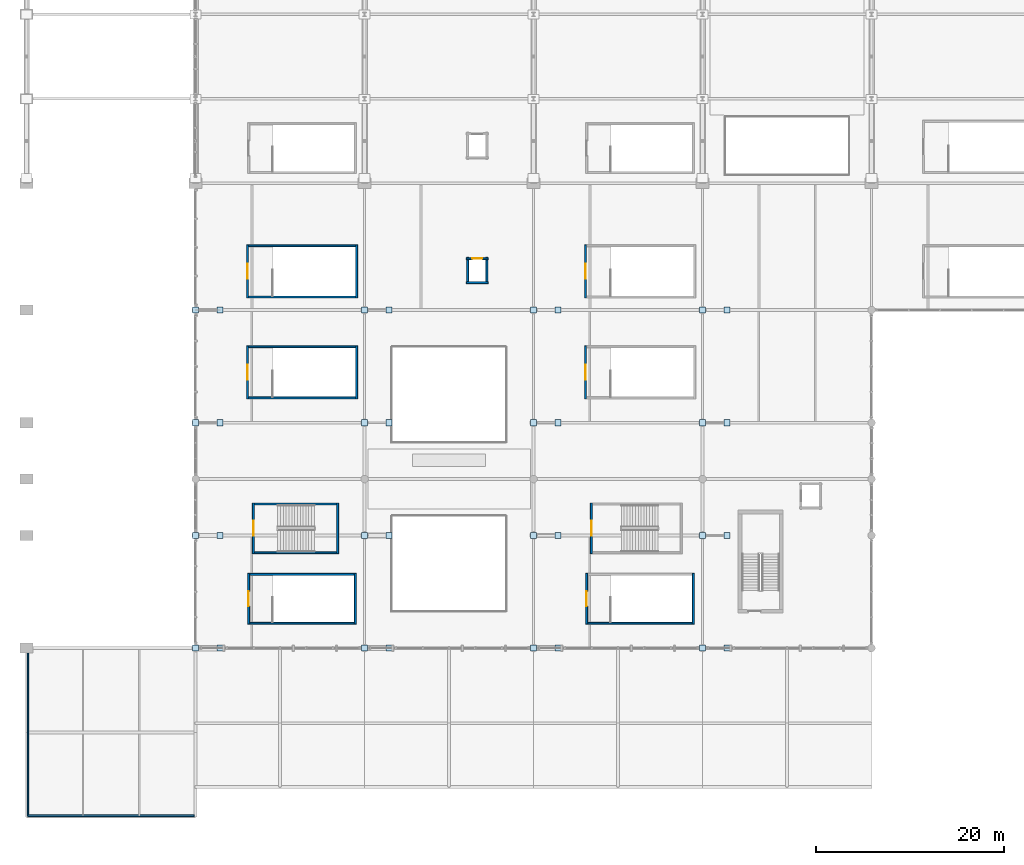
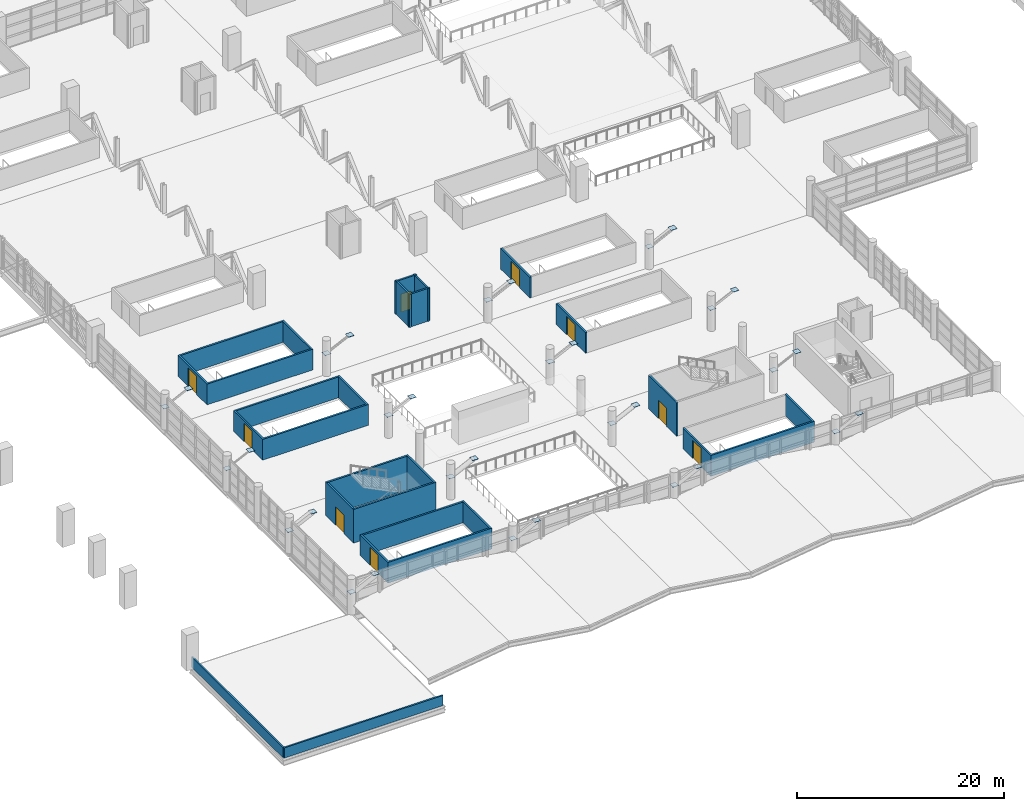
# One storey, part 116 of 136: 32 plates, 28 walls, 9 doors, 9 openings.
"""IFC4 building model written with IfcOpenShell, lengths in metres."""

import ifcopenshell
import ifcopenshell.guid

model = None  # the IFC model being written
_history = None  # IfcOwnerHistory: only IFC2X3 demands one
_inside = {}  # id of a spatial element -> (the spatial element, [elements in it])
_under = {}  # id of a project, library or spatial element -> (it, [spatial elements below it])
_declared = {}  # id of a project -> (the project, [libraries it declares])
_typed = {}  # id of a type object -> (the type object, [elements of that type])
_made_of = {}  # id of a material, layer set ... -> (it, [elements and type objects made of it])


def new_model(schema):
    """Start an empty IFC model of exactly this schema.

    Asked for "IFC4X3", IfcOpenShell would pick the latest addendum, in which some entities
    have other attributes; the version numbers below select the first issue.
    IFC2X3 requires an IfcOwnerHistory on every rooted entity: one is made here for all.
    """
    global model, _history
    if schema == "IFC4X3":
        model = ifcopenshell.file(schema_version=(4, 3, 0, 0))
    else:
        model = ifcopenshell.file(schema=schema)
    _inside.clear()
    _under.clear()
    _declared.clear()
    _typed.clear()
    _made_of.clear()
    _history = None
    if model.schema == "IFC2X3":
        org = make("IfcOrganization", Name="unknown")
        user = make(
            "IfcPersonAndOrganization",
            ThePerson=make("IfcPerson", FamilyName="unknown"),
            TheOrganization=org,
        )
        app = make(
            "IfcApplication",
            ApplicationDeveloper=org,
            Version="unknown",
            ApplicationFullName="unknown",
            ApplicationIdentifier="unknown",
        )
        _history = make(
            "IfcOwnerHistory",
            OwningUser=user,
            OwningApplication=app,
            ChangeAction="ADDED",
            CreationDate=0,
        )
    return model


def make(cls, **values):
    """One entity of the class cls with the attributes given. An attribute that is None is left unset."""
    return model.create_entity(
        cls, **{name: value for name, value in values.items() if value is not None}
    )


def rooted(cls, **values):
    """An entity with a GlobalId (a new one), such as an element, a storey or a relation."""
    return make(cls, GlobalId=ifcopenshell.guid.new(), OwnerHistory=_history, **values)


def si_unit(unit_type, name, prefix=None):
    """IfcSIUnit, for example si_unit("LENGTHUNIT", "METRE", prefix="MILLI")."""
    return make("IfcSIUnit", UnitType=unit_type, Prefix=prefix, Name=name)


def assignment(units):
    """IfcUnitAssignment: the units of a project."""
    return None if units is None else make("IfcUnitAssignment", Units=units)


def point(xyz):
    """IfcCartesianPoint."""
    return None if xyz is None else make("IfcCartesianPoint", Coordinates=xyz)


def direction(xyz):
    """IfcDirection."""
    return None if xyz is None else make("IfcDirection", DirectionRatios=xyz)


def frame(location, z_axis=None, x_axis=None):
    """IfcAxis2Placement3D, a coordinate frame: its origin and axes. An axis left out is left unset."""
    return make(
        "IfcAxis2Placement3D",
        Location=point(location),
        Axis=direction(z_axis),
        RefDirection=direction(x_axis),
    )


def frame_2d(location, x_axis=None):
    """IfcAxis2Placement2D, a coordinate frame in the plane: its origin and x axis."""
    return make(
        "IfcAxis2Placement2D", Location=point(location), RefDirection=direction(x_axis)
    )


def origin():
    """The frame at (0, 0, 0) with its axes left unset."""
    return frame((0.0, 0.0, 0.0))


def origin_2d():
    """The frame at (0, 0) in the plane with its x axis left unset."""
    return frame_2d((0.0, 0.0))


def place(relative_to, where):
    """IfcLocalPlacement: puts the frame where relative to a parent placement (None: the world)."""
    return make(
        "IfcLocalPlacement", PlacementRelTo=relative_to, RelativePlacement=where
    )


def context(
    kind, dimensions, precision=None, world=None, true_north=None, identifier=None
):
    """IfcGeometricRepresentationContext, for example the 3D "Model" context."""
    return make(
        "IfcGeometricRepresentationContext",
        ContextIdentifier=identifier,
        ContextType=kind,
        CoordinateSpaceDimension=dimensions,
        Precision=precision,
        WorldCoordinateSystem=world,
        TrueNorth=true_north,
    )


def subcontext(parent, identifier, kind, view, scale=None):
    """IfcGeometricRepresentationSubContext, for example "Body" below "Model"."""
    return make(
        "IfcGeometricRepresentationSubContext",
        ContextIdentifier=identifier,
        ContextType=kind,
        ParentContext=parent,
        TargetScale=scale,
        TargetView=view,
    )


def project(units=None, contexts=None):
    """IfcProject with its units and contexts."""
    return rooted(
        "IfcProject",
        Name="project",
        RepresentationContexts=contexts,
        UnitsInContext=assignment(units),
    )


def spatial(cls, under=None, at=None, **own):
    """A site, building, storey or space (cls), placed at a placement, below another one or the project."""
    s = rooted(cls, ObjectPlacement=at, **own)
    if under is not None:
        _under.setdefault(under.id(), (under, []))[1].append(s)
    return s


def profile(cls, at=None, kind="AREA", **sizes):
    """A parametric profile (cls). Its sizes go by their IFC names, for example OverallWidth=200.0."""
    return make(cls, ProfileType=kind, Position=at, **sizes)


def rectangle(**sizes):
    """IfcRectangleProfileDef."""
    return profile("IfcRectangleProfileDef", **sizes)


def extrude(swept, where, along, depth):
    """IfcExtrudedAreaSolid: the profile swept, set in the frame where, extruded along a direction by depth."""
    return make(
        "IfcExtrudedAreaSolid",
        SweptArea=swept,
        Position=where,
        ExtrudedDirection=direction(along),
        Depth=depth,
    )


def shape(context_of_items, identifier, shape_type, items):
    """IfcShapeRepresentation: the items that make up one representation, for example the "Body"."""
    return make(
        "IfcShapeRepresentation",
        ContextOfItems=context_of_items,
        RepresentationIdentifier=identifier,
        RepresentationType=shape_type,
        Items=items,
    )


def material(Name=None, Category=None):
    """IfcMaterial."""
    return make("IfcMaterial", Name=Name, Category=Category)


def layer(
    of_material, thickness, ventilated=None, Name=None, Category=None, Priority=None
):
    """IfcMaterialLayer: one layer of a wall or slab, of a material (None: an air gap)."""
    return make(
        "IfcMaterialLayer",
        Material=of_material,
        LayerThickness=thickness,
        IsVentilated=ventilated,
        Name=Name,
        Category=Category,
        Priority=Priority,
    )


def layer_set(layers, Name=None):
    """IfcMaterialLayerSet."""
    return make("IfcMaterialLayerSet", MaterialLayers=layers, LayerSetName=Name)


def made_of(thing, what):
    """Note that an element or type object is made of a material, layer set ...; save() writes the relation."""
    if what is not None:
        _made_of.setdefault(what.id(), (what, []))[1].append(thing)
    return thing


def type_object(cls, material=None, **own):
    """A type object (cls), such as IfcWallType, which elements share."""
    return made_of(rooted(cls, **own), material)


def element(
    cls,
    number,
    at=None,
    inside=None,
    cuts=None,
    type_object=None,
    material=None,
    context=None,
    identifier="Body",
    shape_type=None,
    held_by="IfcProductDefinitionShape",
    body=None,
    shapes=None,
    **own,
):
    """One element of the class cls, such as IfcWall. Its Tag is "e" and its number.

    at: its placement. inside: the storey or other place that contains it. cuts: it is an
    opening in that element (IfcRelVoidsElement). A single representation is given by context,
    identifier, shape_type and body (its items); several are given by shapes. held_by: the class
    of the entity that holds the representations. save() writes the other relations.
    """
    e = rooted(cls, Tag="e%d" % number, ObjectPlacement=at, **own)
    if body is not None:
        shapes = [shape(context, identifier, shape_type, body)]
    if shapes is not None:
        e.Representation = make(held_by, Representations=shapes)
    if inside is not None:
        _inside.setdefault(inside.id(), (inside, []))[1].append(e)
    if cuts is not None:
        rooted(
            "IfcRelVoidsElement", RelatingBuildingElement=cuts, RelatedOpeningElement=e
        )
    if type_object is not None:
        _typed.setdefault(type_object.id(), (type_object, []))[1].append(e)
    return made_of(e, material)


def fill(opening, filler):
    """IfcRelFillsElement: the door or window that sits in an opening."""
    return rooted(
        "IfcRelFillsElement",
        RelatingOpeningElement=opening,
        RelatedBuildingElement=filler,
    )


def aggregate(whole, parts):
    """IfcRelAggregates: a whole, such as a stair, and the parts it consists of."""
    return rooted("IfcRelAggregates", RelatingObject=whole, RelatedObjects=parts)


def save(model, path):
    """Write the relations noted so far, then the file.

    IfcRelAggregates (storeys below a building ...), IfcRelContainedInSpatialStructure (elements
    in a storey), IfcRelDefinesByType, IfcRelAssociatesMaterial and IfcRelDeclares: one each for
    every whole, place, type object, material and project.
    """
    for whole, parts in _under.values():
        aggregate(whole, parts)
    for where, things in _inside.values():
        rooted(
            "IfcRelContainedInSpatialStructure",
            RelatedElements=things,
            RelatingStructure=where,
        )
    for kind, things in _typed.values():
        rooted("IfcRelDefinesByType", RelatedObjects=things, RelatingType=kind)
    for what, things in _made_of.values():
        rooted("IfcRelAssociatesMaterial", RelatedObjects=things, RelatingMaterial=what)
    for by, libraries in _declared.values():
        rooted("IfcRelDeclares", RelatingContext=by, RelatedDefinitions=libraries)
    model.write(path)


model = new_model("IFC4")

# Units and contexts
model_context = context("Model", 3, precision=1e-05, world=origin(), true_north=direction((0.0, 1.0)))
body_context = subcontext(model_context, "Body", "Model", "MODEL_VIEW")
ifc_project = project(units=[si_unit("LENGTHUNIT", "METRE"), si_unit("AREAUNIT", "SQUARE_METRE"), si_unit("VOLUMEUNIT", "CUBIC_METRE"), si_unit("PLANEANGLEUNIT", "RADIAN"), si_unit("MASSUNIT", "GRAM", prefix="KILO")], contexts=[model_context])

# Site, building, storey
site_placement = place(None, origin())
site = spatial("IfcSite", under=ifc_project, at=site_placement, CompositionType="ELEMENT")
building_placement = place(site_placement, origin())
building = spatial("IfcBuilding", under=site, at=building_placement, Name="Chuanluo Vaults Station", CompositionType="ELEMENT")
storey_placement = place(building_placement, frame((0.0, 0.0, 6.60009765625)))
storey = spatial("IfcBuildingStorey", under=building, at=storey_placement, Name="L01", CompositionType="ELEMENT", Elevation=6.60009765625)

# Plates
ifc_material_1 = material(Name="Steel Q355C", Category="steel")
ifc_layer_1 = layer(ifc_material_1, 0.01806640625)
ifc_layer_set_1 = layer_set([ifc_layer_1], Name="Steel Q355C")
plate_type = type_object("IfcPlateType", Name="PLT-CAP-18", PredefinedType="USERDEFINED", material=ifc_layer_set_1)
for number, where, z_axis, x_axis, name in (
    (1, (18.0, 18.0, 2.488037109375), (0.0, 0.0, 1.0), (1.0, 0.0, 0.0), "Gallery strut base end-cap 01A"),
    (2, (20.60009765625, 18.0, 3.738037109375), (0.0, 0.0, 1.0), (1.0, 0.0, 0.0), "Gallery strut top end-cap 01B"),
    (3, (36.0, 18.0, 2.488037109375), (0.0, 0.0, 1.0), (1.0, 0.0, 0.0), "Gallery strut base end-cap 02A"),
    (4, (38.60009765625, 18.0, 3.738037109375), (0.0, 0.0, 1.0), (1.0, 0.0, 0.0), "Gallery strut top end-cap 02B"),
    (5, (54.0, 18.0, 2.488037109375), (0.0, 0.0, 1.0), (1.0, 0.0, 0.0), "Gallery strut base end-cap 03A"),
    (6, (56.60009765625, 18.0, 3.738037109375), (0.0, 0.0, 1.0), (1.0, 0.0, 0.0), "Gallery strut top end-cap 03B"),
    (7, (72.0, 18.0, 2.488037109375), (0.0, 0.0, 1.0), (1.0, 0.0, 0.0), "Gallery strut base end-cap 04A"),
    (8, (74.60009765625, 18.0, 3.738037109375), (0.0, 0.0, 1.0), (1.0, 0.0, 0.0), "Gallery strut top end-cap 04B"),
    (9, (18.0, 30.0, 2.488037109375), (0.0, 0.0, 1.0), (1.0, 0.0, 0.0), "Gallery strut base end-cap 05A"),
    (10, (20.60009765625, 30.0, 3.738037109375), (0.0, 0.0, 1.0), (1.0, 0.0, 0.0), "Gallery strut top end-cap 05B"),
    (11, (36.0, 30.0, 2.488037109375), (0.0, 0.0, 1.0), (1.0, 0.0, 0.0), "Gallery strut base end-cap 06A"),
    (12, (38.60009765625, 30.0, 3.738037109375), (0.0, 0.0, 1.0), (1.0, 0.0, 0.0), "Gallery strut top end-cap 06B"),
    (13, (54.0, 30.0, 2.488037109375), (0.0, 0.0, 1.0), (1.0, 0.0, 0.0), "Gallery strut base end-cap 07A"),
    (14, (56.60009765625, 30.0, 3.738037109375), (0.0, 0.0, 1.0), (1.0, 0.0, 0.0), "Gallery strut top end-cap 07B"),
    (15, (72.0, 30.0, 2.488037109375), (0.0, 0.0, 1.0), (1.0, 0.0, 0.0), "Gallery strut base end-cap 08A"),
    (16, (74.60009765625, 30.0, 3.738037109375), (0.0, 0.0, 1.0), (1.0, 0.0, 0.0), "Gallery strut top end-cap 08B"),
    (17, (18.0, 42.0, 2.488037109375), (0.0, 0.0, 1.0), (1.0, 0.0, 0.0), "Gallery strut base end-cap 09A"),
    (18, (20.60009765625, 42.0, 3.738037109375), (0.0, 0.0, 1.0), (1.0, 0.0, 0.0), "Gallery strut top end-cap 09B"),
    (19, (36.0, 42.0, 2.488037109375), (0.0, 0.0, 1.0), (1.0, 0.0, 0.0), "Gallery strut base end-cap 10A"),
    (20, (38.60009765625, 42.0, 3.738037109375), (0.0, 0.0, 1.0), (1.0, 0.0, 0.0), "Gallery strut top end-cap 10B"),
    (21, (54.0, 42.0, 2.488037109375), (0.0, 0.0, 1.0), (1.0, 0.0, 0.0), "Gallery strut base end-cap 11A"),
    (22, (56.60009765625, 42.0, 3.738037109375), (0.0, 0.0, 1.0), (1.0, 0.0, 0.0), "Gallery strut top end-cap 11B"),
    (23, (72.0, 42.0, 2.488037109375), (0.0, 0.0, 1.0), (1.0, 0.0, 0.0), "Gallery strut base end-cap 12A"),
    (24, (74.60009765625, 42.0, 3.738037109375), (0.0, 0.0, 1.0), (1.0, 0.0, 0.0), "Gallery strut top end-cap 12B"),
    (25, (18.0, 54.0, 2.488037109375), (0.0, 0.0, 1.0), (1.0, 0.0, 0.0), "Gallery strut base end-cap 13A"),
    (26, (20.60009765625, 54.0, 3.738037109375), (0.0, 0.0, 1.0), (1.0, 0.0, 0.0), "Gallery strut top end-cap 13B"),
    (27, (36.0, 54.0, 2.488037109375), (0.0, 0.0, 1.0), (1.0, 0.0, 0.0), "Gallery strut base end-cap 14A"),
    (28, (38.60009765625, 54.0, 3.738037109375), (0.0, 0.0, 1.0), (1.0, 0.0, 0.0), "Gallery strut top end-cap 14B"),
    (29, (54.0, 54.0, 2.488037109375), (0.0, 0.0, 1.0), (1.0, 0.0, 0.0), "Gallery strut base end-cap 15A"),
    (30, (56.60009765625, 54.0, 3.738037109375), (0.0, 0.0, 1.0), (1.0, 0.0, 0.0), "Gallery strut top end-cap 15B"),
    (31, (72.0, 54.0, 2.488037109375), (0.0, 0.0, 1.0), (1.0, 0.0, 0.0), "Gallery strut base end-cap 16A"),
    (32, (74.60009765625, 54.0, 3.738037109375), (0.0, 0.0, 1.0), (1.0, 0.0, 0.0), "Gallery strut top end-cap 16B"),
):
    element("IfcPlate", number, at=place(storey_placement, frame(where, z_axis=z_axis, x_axis=x_axis)), inside=storey, type_object=plate_type, Name=name, ObjectType="COVER_PLATE", PredefinedType="USERDEFINED", context=body_context, shape_type="SweptSolid", body=[
        extrude(rectangle(XDim=0.639892578125, YDim=0.639892578125, at=origin_2d()), origin(), (0.0, 0.0, 1.0), 0.02392578125),
    ])

# Walls
ifc_material_2 = material(Name="Concrete C40", Category="concrete")
ifc_layer_2 = layer(ifc_material_2, 0.179931640625)
ifc_layer_set_2 = layer_set([ifc_layer_2], Name="Concrete C40")
wall_type_1 = type_object("IfcWallType", Name="WL-PAR-180", PredefinedType="PARAPET", material=ifc_layer_set_2)
for number, where, z_axis, x_axis, name in (
    (33, (0.14990234375, 0.14990234375, 0.0), (0.0, 0.0, 1.0), (1.0, 0.0, 0.0), "L01 roof parapet wall 01"),
    (34, (0.14990234375, 0.14990234375, 0.0), (0.0, 0.0, 1.0), (0.0, 1.0, 0.0), "L01 roof parapet wall 02"),
):
    element("IfcWall", number, at=place(storey_placement, frame(where, z_axis=z_axis, x_axis=x_axis)), inside=storey, type_object=wall_type_1, Name=name, PredefinedType="PARAPET", context=body_context, shape_type="SweptSolid", body=[
        extrude(rectangle(XDim=17.7001953125, YDim=0.179931640625, at=frame_2d((8.85009765625, 0.0))), origin(), (0.0, 0.0, 1.0), 1.199951171875),
    ])
ifc_material_3 = material(Name="Concrete C40", Category="concrete")
ifc_layer_3 = layer(ifc_material_3, 0.199951171875)
ifc_layer_set_3 = layer_set([ifc_layer_3], Name="Concrete C40")
wall_type_2 = type_object("IfcWallType", Name="WL-SHF-200", PredefinedType="SOLIDWALL", material=ifc_layer_set_3)
for number, where, z_axis, x_axis, name in (
    (35, (23.425048828125, 55.39990234375, 0.0), (0.0, 0.0, 1.0), (1.0, 0.0, 0.0), "Stair ST-07 south shaft wall L01"),
    (36, (35.25, 60.85009765625, 0.0), (0.0, 0.0, 1.0), (-1.0, 0.0, 0.0), "Stair ST-07 north shaft wall L01"),
):
    element("IfcWall", number, at=place(storey_placement, frame(where, z_axis=z_axis, x_axis=x_axis)), inside=storey, type_object=wall_type_2, Name=name, PredefinedType="SOLIDWALL", context=body_context, shape_type="SweptSolid", body=[
        extrude(rectangle(XDim=11.824951171875, YDim=0.199951171875, at=frame_2d((5.91259765625, 0.0))), origin(), (0.0, 0.0, 1.0), 2.449951171875),
    ])
wall_1_placement = place(storey_placement, frame((35.14990234375, 55.300048828125, 0.0), z_axis=(0.0, 0.0, 1.0), x_axis=(0.0, 1.0, 0.0)))
element("IfcWall", 37, at=wall_1_placement, inside=storey, type_object=wall_type_2, Name="Stair ST-07 far shaft wall L01", PredefinedType="SOLIDWALL", context=body_context, shape_type="SweptSolid", body=[
    extrude(rectangle(XDim=5.64990234375, YDim=0.199951171875, at=frame_2d((2.824951171875, 0.0))), origin(), (0.0, 0.0, 1.0), 2.449951171875),
])

# Wall, opening, door
wall_2_placement = place(storey_placement, frame((23.52490234375, 60.949951171875, 0.0), z_axis=(0.0, 0.0, 1.0), x_axis=(0.0, -1.0, 0.0)))
wall_2 = element("IfcWall", 38, at=wall_2_placement, inside=storey, type_object=wall_type_2, Name="Stair ST-07 vestibule wall L01", PredefinedType="SOLIDWALL", context=body_context, shape_type="SweptSolid", body=[
    extrude(rectangle(XDim=5.64990234375, YDim=0.199951171875, at=frame_2d((2.824951171875, 0.0))), origin(), (0.0, 0.0, 1.0), 2.449951171875),
])
opening_1_placement = place(wall_2_placement, frame((2.02490234375, 0.0, 0.0)))
opening_1 = element("IfcOpeningElement", 39, at=opening_1_placement, cuts=wall_2, Name="Opening FD-02", PredefinedType="OPENING", context=body_context, shape_type="SweptSolid", body=[
    extrude(rectangle(XDim=1.60009765625, YDim=2.14990234375, at=frame_2d((0.800048828125, 1.074951171875))), frame((0.0, 0.1101, 0.0), z_axis=(0.0, -1.0, 0.0), x_axis=(1.0, 0.0, 0.0)), (0.0, 0.0, 1.0), 0.21995),
])
ifc_material_4 = material(Name="Fire-rated steel leaf", Category="steel")
door_type_1 = type_object("IfcDoorType", Name="DR-FIR-1600x2150", OperationType="NOTDEFINED", PredefinedType="DOOR", material=ifc_material_4)
door_1_placement = place(opening_1_placement, origin())
door_1 = element("IfcDoor", 40, at=door_1_placement, inside=storey, type_object=door_type_1, Name="D-094 Stair ST-07 fire door L01", OperationType="SINGLE_SWING_LEFT", OverallHeight=2.14990234375, OverallWidth=1.60009765625, PredefinedType="DOOR", context=body_context, shape_type="SweptSolid", body=[
    extrude(rectangle(XDim=1.60009765625, YDim=2.14990234375, at=frame_2d((0.800048828125, 1.074951171875))), frame((0.0, 0.02490234375, 0.0), z_axis=(0.0, -1.0, 0.0), x_axis=(1.0, 0.0, 0.0)), (0.0, 0.0, 1.0), 0.050048828125),
])
fill(opening_1, door_1)

wall_3_placement = place(storey_placement, frame((59.52490234375, 60.949951171875, 0.0), z_axis=(0.0, 0.0, 1.0), x_axis=(0.0, -1.0, 0.0)))
wall_3 = element("IfcWall", 41, at=wall_3_placement, inside=storey, type_object=wall_type_2, Name="Stair ST-08 vestibule wall L01", PredefinedType="SOLIDWALL", context=body_context, shape_type="SweptSolid", body=[
    extrude(rectangle(XDim=5.64990234375, YDim=0.199951171875, at=frame_2d((2.824951171875, 0.0))), origin(), (0.0, 0.0, 1.0), 2.449951171875),
])
opening_2_placement = place(wall_3_placement, frame((2.02490234375, 0.0, 0.0)))
opening_2 = element("IfcOpeningElement", 42, at=opening_2_placement, cuts=wall_3, Name="Opening FD-02", PredefinedType="OPENING", context=body_context, shape_type="SweptSolid", body=[
    extrude(rectangle(XDim=1.60009765625, YDim=2.14990234375, at=frame_2d((0.800048828125, 1.074951171875))), frame((0.0, 0.1101, 0.0), z_axis=(0.0, -1.0, 0.0), x_axis=(1.0, 0.0, 0.0)), (0.0, 0.0, 1.0), 0.21995),
])
door_2_placement = place(opening_2_placement, origin())
door_2 = element("IfcDoor", 43, at=door_2_placement, inside=storey, type_object=door_type_1, Name="D-096 Stair ST-08 fire door L01", OperationType="SINGLE_SWING_LEFT", OverallHeight=2.14990234375, OverallWidth=1.60009765625, PredefinedType="DOOR", context=body_context, shape_type="SweptSolid", body=[
    extrude(rectangle(XDim=1.60009765625, YDim=2.14990234375, at=frame_2d((0.800048828125, 1.074951171875))), frame((0.0, 0.02490234375, 0.0), z_axis=(0.0, -1.0, 0.0), x_axis=(1.0, 0.0, 0.0)), (0.0, 0.0, 1.0), 0.050048828125),
])
fill(opening_2, door_2)

# Walls
for number, where, z_axis, x_axis, name in (
    (44, (23.550048828125, 20.64990234375, 0.0), (0.0, 0.0, 1.0), (1.0, 0.0, 0.0), "Stair ST-18 south shaft wall L01"),
    (45, (35.125, 25.85009765625, 0.0), (0.0, 0.0, 1.0), (-1.0, 0.0, 0.0), "Stair ST-18 north shaft wall L01"),
):
    element("IfcWall", number, at=place(storey_placement, frame(where, z_axis=z_axis, x_axis=x_axis)), inside=storey, type_object=wall_type_2, Name=name, PredefinedType="SOLIDWALL", context=body_context, shape_type="SweptSolid", body=[
        extrude(rectangle(XDim=11.574951171875, YDim=0.199951171875, at=frame_2d((5.78759765625, 0.0))), origin(), (0.0, 0.0, 1.0), 2.449951171875),
    ])
wall_4_placement = place(storey_placement, frame((35.02490234375, 20.550048828125, 0.0), z_axis=(0.0, 0.0, 1.0), x_axis=(0.0, 1.0, 0.0)))
element("IfcWall", 46, at=wall_4_placement, inside=storey, type_object=wall_type_2, Name="Stair ST-18 far shaft wall L01", PredefinedType="SOLIDWALL", context=body_context, shape_type="SweptSolid", body=[
    extrude(rectangle(XDim=5.39990234375, YDim=0.199951171875, at=frame_2d((2.699951171875, 0.0))), origin(), (0.0, 0.0, 1.0), 2.449951171875),
])

# Wall, opening, door
wall_5_placement = place(storey_placement, frame((23.64990234375, 25.949951171875, 0.0), z_axis=(0.0, 0.0, 1.0), x_axis=(0.0, -1.0, 0.0)))
wall_5 = element("IfcWall", 47, at=wall_5_placement, inside=storey, type_object=wall_type_2, Name="Stair ST-18 vestibule wall L01", PredefinedType="SOLIDWALL", context=body_context, shape_type="SweptSolid", body=[
    extrude(rectangle(XDim=5.39990234375, YDim=0.199951171875, at=frame_2d((2.699951171875, 0.0))), origin(), (0.0, 0.0, 1.0), 2.449951171875),
])
opening_3_placement = place(wall_5_placement, frame((1.89990234375, 0.0, 0.0)))
opening_3 = element("IfcOpeningElement", 48, at=opening_3_placement, cuts=wall_5, Name="Opening FD-02", PredefinedType="OPENING", context=body_context, shape_type="SweptSolid", body=[
    extrude(rectangle(XDim=1.60009765625, YDim=2.14990234375, at=frame_2d((0.800048828125, 1.074951171875))), frame((0.0, 0.1101, 0.0), z_axis=(0.0, -1.0, 0.0), x_axis=(1.0, 0.0, 0.0)), (0.0, 0.0, 1.0), 0.21995),
])
door_3_placement = place(opening_3_placement, origin())
door_3 = element("IfcDoor", 49, at=door_3_placement, inside=storey, type_object=door_type_1, Name="D-116 Stair ST-18 fire door L01", OperationType="SINGLE_SWING_LEFT", OverallHeight=2.14990234375, OverallWidth=1.60009765625, PredefinedType="DOOR", context=body_context, shape_type="SweptSolid", body=[
    extrude(rectangle(XDim=1.60009765625, YDim=2.14990234375, at=frame_2d((0.800048828125, 1.074951171875))), frame((0.0, 0.02490234375, 0.0), z_axis=(0.0, -1.0, 0.0), x_axis=(1.0, 0.0, 0.0)), (0.0, 0.0, 1.0), 0.050048828125),
])
fill(opening_3, door_3)

# Walls
wall_6_placement = place(storey_placement, frame((59.550048828125, 20.64990234375, 0.0), z_axis=(0.0, 0.0, 1.0), x_axis=(1.0, 0.0, 0.0)))
element("IfcWall", 50, at=wall_6_placement, inside=storey, type_object=wall_type_2, Name="Stair ST-19 south shaft wall L01", PredefinedType="SOLIDWALL", context=body_context, shape_type="SweptSolid", body=[
    extrude(rectangle(XDim=11.574951171875, YDim=0.199951171875, at=frame_2d((5.78759765625, 0.0))), origin(), (0.0, 0.0, 1.0), 2.449951171875),
])
wall_7_placement = place(storey_placement, frame((71.02490234375, 20.550048828125, 0.0), z_axis=(0.0, 0.0, 1.0), x_axis=(0.0, 1.0, 0.0)))
element("IfcWall", 51, at=wall_7_placement, inside=storey, type_object=wall_type_2, Name="Stair ST-19 far shaft wall L01", PredefinedType="SOLIDWALL", context=body_context, shape_type="SweptSolid", body=[
    extrude(rectangle(XDim=5.39990234375, YDim=0.199951171875, at=frame_2d((2.699951171875, 0.0))), origin(), (0.0, 0.0, 1.0), 2.449951171875),
])

# Wall, opening, door
wall_8_placement = place(storey_placement, frame((59.64990234375, 25.949951171875, 0.0), z_axis=(0.0, 0.0, 1.0), x_axis=(0.0, -1.0, 0.0)))
wall_8 = element("IfcWall", 52, at=wall_8_placement, inside=storey, type_object=wall_type_2, Name="Stair ST-19 vestibule wall L01", PredefinedType="SOLIDWALL", context=body_context, shape_type="SweptSolid", body=[
    extrude(rectangle(XDim=5.39990234375, YDim=0.199951171875, at=frame_2d((2.699951171875, 0.0))), origin(), (0.0, 0.0, 1.0), 2.449951171875),
])
opening_4_placement = place(wall_8_placement, frame((1.89990234375, 0.0, 0.0)))
opening_4 = element("IfcOpeningElement", 53, at=opening_4_placement, cuts=wall_8, Name="Opening FD-02", PredefinedType="OPENING", context=body_context, shape_type="SweptSolid", body=[
    extrude(rectangle(XDim=1.60009765625, YDim=2.14990234375, at=frame_2d((0.800048828125, 1.074951171875))), frame((0.0, 0.1101, 0.0), z_axis=(0.0, -1.0, 0.0), x_axis=(1.0, 0.0, 0.0)), (0.0, 0.0, 1.0), 0.21995),
])
door_4_placement = place(opening_4_placement, origin())
door_4 = element("IfcDoor", 54, at=door_4_placement, inside=storey, type_object=door_type_1, Name="D-118 Stair ST-19 fire door L01", OperationType="SINGLE_SWING_LEFT", OverallHeight=2.14990234375, OverallWidth=1.60009765625, PredefinedType="DOOR", context=body_context, shape_type="SweptSolid", body=[
    extrude(rectangle(XDim=1.60009765625, YDim=2.14990234375, at=frame_2d((0.800048828125, 1.074951171875))), frame((0.0, 0.02490234375, 0.0), z_axis=(0.0, -1.0, 0.0), x_axis=(1.0, 0.0, 0.0)), (0.0, 0.0, 1.0), 0.050048828125),
])
fill(opening_4, door_4)

# Walls
for number, where, z_axis, x_axis, name in (
    (55, (23.425048828125, 44.64990234375, 0.0), (0.0, 0.0, 1.0), (1.0, 0.0, 0.0), "Stair ST-20 south shaft wall L01"),
    (56, (35.25, 50.10009765625, 0.0), (0.0, 0.0, 1.0), (-1.0, 0.0, 0.0), "Stair ST-20 north shaft wall L01"),
):
    element("IfcWall", number, at=place(storey_placement, frame(where, z_axis=z_axis, x_axis=x_axis)), inside=storey, type_object=wall_type_2, Name=name, PredefinedType="SOLIDWALL", context=body_context, shape_type="SweptSolid", body=[
        extrude(rectangle(XDim=11.824951171875, YDim=0.199951171875, at=frame_2d((5.91259765625, 0.0))), origin(), (0.0, 0.0, 1.0), 2.449951171875),
    ])
wall_9_placement = place(storey_placement, frame((35.14990234375, 44.550048828125, 0.0), z_axis=(0.0, 0.0, 1.0), x_axis=(0.0, 1.0, 0.0)))
element("IfcWall", 57, at=wall_9_placement, inside=storey, type_object=wall_type_2, Name="Stair ST-20 far shaft wall L01", PredefinedType="SOLIDWALL", context=body_context, shape_type="SweptSolid", body=[
    extrude(rectangle(XDim=5.64990234375, YDim=0.199951171875, at=frame_2d((2.824951171875, 0.0))), origin(), (0.0, 0.0, 1.0), 2.449951171875),
])

# Wall, opening, door
wall_10_placement = place(storey_placement, frame((23.52490234375, 50.199951171875, 0.0), z_axis=(0.0, 0.0, 1.0), x_axis=(0.0, -1.0, 0.0)))
wall_10 = element("IfcWall", 58, at=wall_10_placement, inside=storey, type_object=wall_type_2, Name="Stair ST-20 vestibule wall L01", PredefinedType="SOLIDWALL", context=body_context, shape_type="SweptSolid", body=[
    extrude(rectangle(XDim=5.64990234375, YDim=0.199951171875, at=frame_2d((2.824951171875, 0.0))), origin(), (0.0, 0.0, 1.0), 2.449951171875),
])
opening_5_placement = place(wall_10_placement, frame((2.02490234375, 0.0, 0.0)))
opening_5 = element("IfcOpeningElement", 59, at=opening_5_placement, cuts=wall_10, Name="Opening FD-02", PredefinedType="OPENING", context=body_context, shape_type="SweptSolid", body=[
    extrude(rectangle(XDim=1.60009765625, YDim=2.14990234375, at=frame_2d((0.800048828125, 1.074951171875))), frame((0.0, 0.1101, 0.0), z_axis=(0.0, -1.0, 0.0), x_axis=(1.0, 0.0, 0.0)), (0.0, 0.0, 1.0), 0.21995),
])
door_5_placement = place(opening_5_placement, origin())
door_5 = element("IfcDoor", 60, at=door_5_placement, inside=storey, type_object=door_type_1, Name="D-120 Stair ST-20 fire door L01", OperationType="SINGLE_SWING_LEFT", OverallHeight=2.14990234375, OverallWidth=1.60009765625, PredefinedType="DOOR", context=body_context, shape_type="SweptSolid", body=[
    extrude(rectangle(XDim=1.60009765625, YDim=2.14990234375, at=frame_2d((0.800048828125, 1.074951171875))), frame((0.0, 0.02490234375, 0.0), z_axis=(0.0, -1.0, 0.0), x_axis=(1.0, 0.0, 0.0)), (0.0, 0.0, 1.0), 0.050048828125),
])
fill(opening_5, door_5)

wall_11_placement = place(storey_placement, frame((59.52490234375, 50.199951171875, 0.0), z_axis=(0.0, 0.0, 1.0), x_axis=(0.0, -1.0, 0.0)))
wall_11 = element("IfcWall", 61, at=wall_11_placement, inside=storey, type_object=wall_type_2, Name="Stair ST-21 vestibule wall L01", PredefinedType="SOLIDWALL", context=body_context, shape_type="SweptSolid", body=[
    extrude(rectangle(XDim=5.64990234375, YDim=0.199951171875, at=frame_2d((2.824951171875, 0.0))), origin(), (0.0, 0.0, 1.0), 2.449951171875),
])
opening_6_placement = place(wall_11_placement, frame((2.02490234375, 0.0, 0.0)))
opening_6 = element("IfcOpeningElement", 62, at=opening_6_placement, cuts=wall_11, Name="Opening FD-02", PredefinedType="OPENING", context=body_context, shape_type="SweptSolid", body=[
    extrude(rectangle(XDim=1.60009765625, YDim=2.14990234375, at=frame_2d((0.800048828125, 1.074951171875))), frame((0.0, 0.1101, 0.0), z_axis=(0.0, -1.0, 0.0), x_axis=(1.0, 0.0, 0.0)), (0.0, 0.0, 1.0), 0.21995),
])
door_6_placement = place(opening_6_placement, origin())
door_6 = element("IfcDoor", 63, at=door_6_placement, inside=storey, type_object=door_type_1, Name="D-122 Stair ST-21 fire door L01", OperationType="SINGLE_SWING_LEFT", OverallHeight=2.14990234375, OverallWidth=1.60009765625, PredefinedType="DOOR", context=body_context, shape_type="SweptSolid", body=[
    extrude(rectangle(XDim=1.60009765625, YDim=2.14990234375, at=frame_2d((0.800048828125, 1.074951171875))), frame((0.0, 0.02490234375, 0.0), z_axis=(0.0, -1.0, 0.0), x_axis=(1.0, 0.0, 0.0)), (0.0, 0.0, 1.0), 0.050048828125),
])
fill(opening_6, door_6)

# Walls
for number, where, z_axis, x_axis, name in (
    (64, (24.050048828125, 28.14990234375, 0.0), (0.0, 0.0, 1.0), (1.0, 0.0, 0.0), "Stair ST-22 south shaft wall L01"),
    (65, (33.22509765625, 33.35009765625, 0.0), (0.0, 0.0, 1.0), (-1.0, 0.0, 0.0), "Stair ST-22 north shaft wall L01"),
):
    element("IfcWall", number, at=place(storey_placement, frame(where, z_axis=z_axis, x_axis=x_axis)), inside=storey, type_object=wall_type_2, Name=name, PredefinedType="SOLIDWALL", context=body_context, shape_type="SweptSolid", body=[
        extrude(rectangle(XDim=9.175048828125, YDim=0.199951171875, at=frame_2d((4.58740234375, 0.0))), origin(), (0.0, 0.0, 1.0), 3.97998046875),
    ])
wall_12_placement = place(storey_placement, frame((33.125, 28.050048828125, 0.0), z_axis=(0.0, 0.0, 1.0), x_axis=(0.0, 1.0, 0.0)))
element("IfcWall", 66, at=wall_12_placement, inside=storey, type_object=wall_type_2, Name="Stair ST-22 far shaft wall L01", PredefinedType="SOLIDWALL", context=body_context, shape_type="SweptSolid", body=[
    extrude(rectangle(XDim=5.39990234375, YDim=0.199951171875, at=frame_2d((2.699951171875, 0.0))), origin(), (0.0, 0.0, 1.0), 3.97998046875),
])

# Wall, opening, door
wall_13_placement = place(storey_placement, frame((24.14990234375, 33.449951171875, 0.0), z_axis=(0.0, 0.0, 1.0), x_axis=(0.0, -1.0, 0.0)))
wall_13 = element("IfcWall", 67, at=wall_13_placement, inside=storey, type_object=wall_type_2, Name="Stair ST-22 vestibule wall L01", PredefinedType="SOLIDWALL", context=body_context, shape_type="SweptSolid", body=[
    extrude(rectangle(XDim=5.39990234375, YDim=0.199951171875, at=frame_2d((2.699951171875, 0.0))), origin(), (0.0, 0.0, 1.0), 3.954833984375),
])
opening_7_placement = place(wall_13_placement, frame((1.89990234375, 0.0, 0.0)))
opening_7 = element("IfcOpeningElement", 68, at=opening_7_placement, cuts=wall_13, Name="Opening FD-02", PredefinedType="OPENING", context=body_context, shape_type="SweptSolid", body=[
    extrude(rectangle(XDim=1.60009765625, YDim=2.14990234375, at=frame_2d((0.800048828125, 1.074951171875))), frame((0.0, 0.1101, 0.0), z_axis=(0.0, -1.0, 0.0), x_axis=(1.0, 0.0, 0.0)), (0.0, 0.0, 1.0), 0.21995),
])
door_7_placement = place(opening_7_placement, origin())
door_7 = element("IfcDoor", 69, at=door_7_placement, inside=storey, type_object=door_type_1, Name="D-123 Stair ST-22 fire door L01", OperationType="SINGLE_SWING_RIGHT", OverallHeight=2.14990234375, OverallWidth=1.60009765625, PredefinedType="DOOR", context=body_context, shape_type="SweptSolid", body=[
    extrude(rectangle(XDim=1.60009765625, YDim=2.14990234375, at=frame_2d((0.800048828125, 1.074951171875))), frame((0.0, 0.02490234375, 0.0), z_axis=(0.0, -1.0, 0.0), x_axis=(1.0, 0.0, 0.0)), (0.0, 0.0, 1.0), 0.050048828125),
])
fill(opening_7, door_7)

wall_14_placement = place(storey_placement, frame((60.14990234375, 33.449951171875, 0.0), z_axis=(0.0, 0.0, 1.0), x_axis=(0.0, -1.0, 0.0)))
wall_14 = element("IfcWall", 70, at=wall_14_placement, inside=storey, type_object=wall_type_2, Name="Stair ST-23 vestibule wall L01", PredefinedType="SOLIDWALL", context=body_context, shape_type="SweptSolid", body=[
    extrude(rectangle(XDim=5.39990234375, YDim=0.199951171875, at=frame_2d((2.699951171875, 0.0))), origin(), (0.0, 0.0, 1.0), 3.954833984375),
])
opening_8_placement = place(wall_14_placement, frame((1.89990234375, 0.0, 0.0)))
opening_8 = element("IfcOpeningElement", 71, at=opening_8_placement, cuts=wall_14, Name="Opening FD-02", PredefinedType="OPENING", context=body_context, shape_type="SweptSolid", body=[
    extrude(rectangle(XDim=1.60009765625, YDim=2.14990234375, at=frame_2d((0.800048828125, 1.074951171875))), frame((0.0, 0.1101, 0.0), z_axis=(0.0, -1.0, 0.0), x_axis=(1.0, 0.0, 0.0)), (0.0, 0.0, 1.0), 0.21995),
])
door_8_placement = place(opening_8_placement, origin())
door_8 = element("IfcDoor", 72, at=door_8_placement, inside=storey, type_object=door_type_1, Name="D-125 Stair ST-23 fire door L01", OperationType="SINGLE_SWING_RIGHT", OverallHeight=2.14990234375, OverallWidth=1.60009765625, PredefinedType="DOOR", context=body_context, shape_type="SweptSolid", body=[
    extrude(rectangle(XDim=1.60009765625, YDim=2.14990234375, at=frame_2d((0.800048828125, 1.074951171875))), frame((0.0, 0.02490234375, 0.0), z_axis=(0.0, -1.0, 0.0), x_axis=(1.0, 0.0, 0.0)), (0.0, 0.0, 1.0), 0.050048828125),
])
fill(opening_8, door_8)

# Wall
wall_15_placement = place(storey_placement, frame((46.830078125, 56.929931640625, 0.0), z_axis=(0.0, 0.0, 1.0), x_axis=(1.0, 0.0, 0.0)))
element("IfcWall", 73, at=wall_15_placement, inside=storey, type_object=wall_type_2, Name="Lift PL-01 shaft wall L01 -Y", PredefinedType="SOLIDWALL", context=body_context, shape_type="SweptSolid", body=[
    extrude(rectangle(XDim=2.33984375, YDim=0.199951171875, at=frame_2d((1.169921875, 0.0))), origin(), (0.0, 0.0, 1.0), 3.875),
])

# Wall, opening, door
wall_16_placement = place(storey_placement, frame((49.169921875, 59.469970703125, 0.0), z_axis=(0.0, 0.0, 1.0), x_axis=(-1.0, 0.0, 0.0)))
wall_16 = element("IfcWall", 74, at=wall_16_placement, inside=storey, type_object=wall_type_2, Name="Lift PL-01 shaft wall L01 +Y", PredefinedType="SOLIDWALL", context=body_context, shape_type="SweptSolid", body=[
    extrude(rectangle(XDim=2.33984375, YDim=0.199951171875, at=frame_2d((1.169921875, 0.0))), origin(), (0.0, 0.0, 1.0), 3.875),
])
opening_9_placement = place(wall_16_placement, frame((0.6201171875, 0.0, 0.0)))
opening_9 = element("IfcOpeningElement", 75, at=opening_9_placement, cuts=wall_16, Name="Opening LD-01", PredefinedType="OPENING", context=body_context, shape_type="SweptSolid", body=[
    extrude(rectangle(XDim=1.10009765625, YDim=2.14990234375, at=frame_2d((0.550048828125, 1.074951171875))), frame((0.0, 0.1101, 0.0), z_axis=(0.0, -1.0, 0.0), x_axis=(1.0, 0.0, 0.0)), (0.0, 0.0, 1.0), 0.21995),
])
ifc_material_5 = material(Name="Brushed stainless steel 304", Category="steel")
door_type_2 = type_object("IfcDoorType", Name="DR-LFT-1100x2150", OperationType="SLIDING_TO_LEFT", PredefinedType="DOOR", material=ifc_material_5)
door_9_placement = place(opening_9_placement, origin())
door_9 = element("IfcDoor", 76, at=door_9_placement, inside=storey, type_object=door_type_2, Name="LD-PL-01-02 Lift PL-01 sliding landing door L01", OperationType="SLIDING_TO_LEFT", OverallHeight=2.14990234375, OverallWidth=1.10009765625, PredefinedType="DOOR", context=body_context, shape_type="SweptSolid", body=[
    extrude(rectangle(XDim=1.10009765625, YDim=2.14990234375, at=frame_2d((0.550048828125, 1.074951171875))), frame((0.0, 0.02490234375, 0.0), z_axis=(0.0, -1.0, 0.0), x_axis=(1.0, 0.0, 0.0)), (0.0, 0.0, 1.0), 0.050048828125),
])
fill(opening_9, door_9)

# Walls
for number, where, z_axis, x_axis, name in (
    (77, (46.97998046875, 59.6201171875, 0.0), (0.0, 0.0, 1.0), (0.0, -1.0, 0.0), "Lift PL-01 shaft wall L01 -X"),
    (78, (49.02001953125, 56.780029296875, 0.0), (0.0, 0.0, 1.0), (0.0, 1.0, 0.0), "Lift PL-01 shaft wall L01 +X"),
):
    element("IfcWall", number, at=place(storey_placement, frame(where, z_axis=z_axis, x_axis=x_axis)), inside=storey, type_object=wall_type_2, Name=name, PredefinedType="SOLIDWALL", context=body_context, shape_type="SweptSolid", body=[
        extrude(rectangle(XDim=2.840087890625, YDim=0.199951171875, at=frame_2d((1.419921875, 0.0))), origin(), (0.0, 0.0, 1.0), 3.875),
    ])

save(model, "model.ifc")
